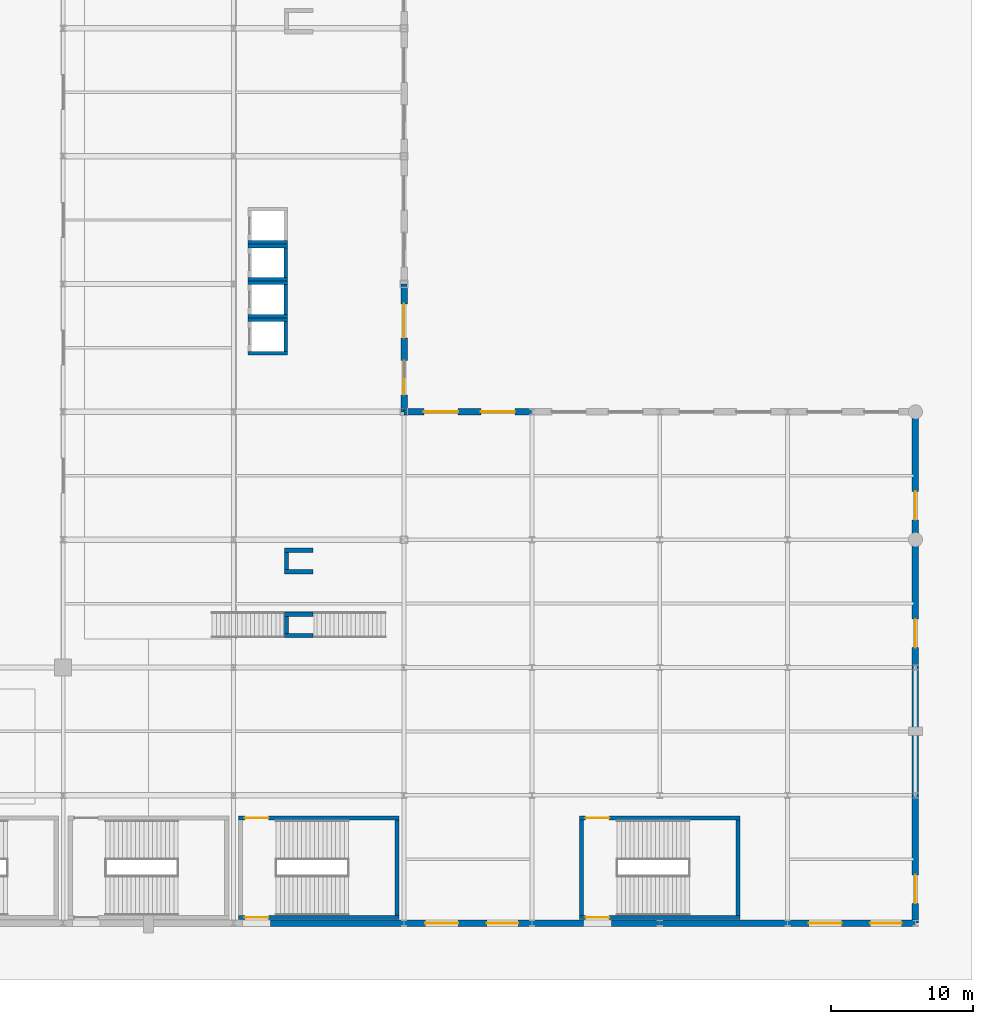
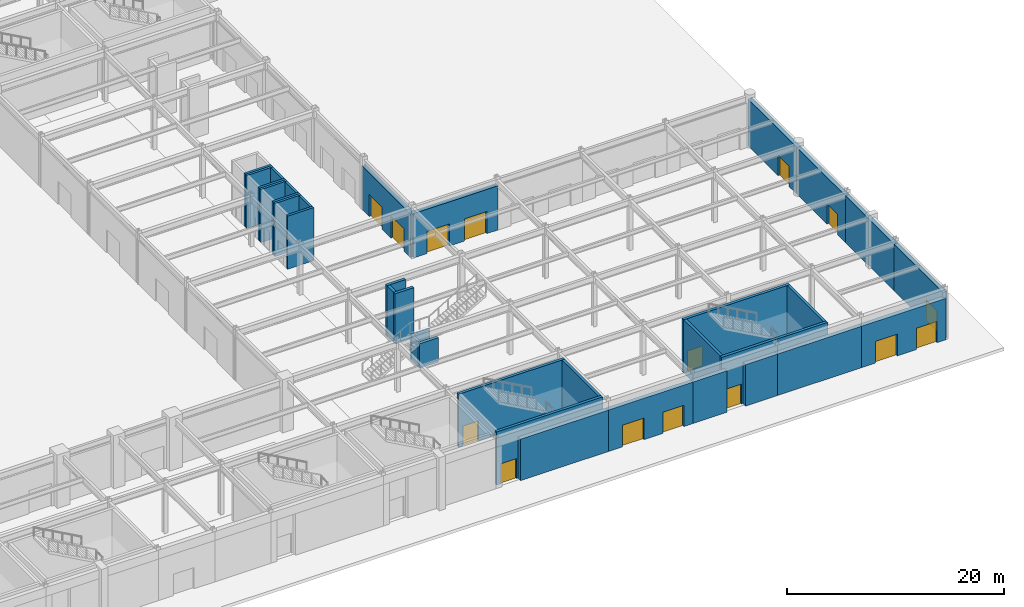
# One storey, part 28 of 44: 35 walls, 15 doors, 15 openings.
"""IFC4 building model written with IfcOpenShell, lengths in metres."""

from ifc_helpers import new_model, si_unit, direction, frame, frame_2d, origin, place, context, subcontext, project, spatial, rectangle, extrude, material, layer, layer_set, type_object, element, fill, save


model = new_model("IFC4")

# Units and contexts
model_context = context("Model", 3, precision=1e-05, world=origin(), true_north=direction((0.0, 1.0)))
body_context = subcontext(model_context, "Body", "Model", "MODEL_VIEW")
ifc_project = project(units=[si_unit("LENGTHUNIT", "METRE"), si_unit("AREAUNIT", "SQUARE_METRE"), si_unit("VOLUMEUNIT", "CUBIC_METRE"), si_unit("PLANEANGLEUNIT", "RADIAN"), si_unit("MASSUNIT", "GRAM", prefix="KILO")], contexts=[model_context])

# Site, building, storey
site_placement = place(None, origin())
site = spatial("IfcSite", under=ifc_project, at=site_placement, CompositionType="ELEMENT")
building_placement = place(site_placement, origin())
building = spatial("IfcBuilding", under=site, at=building_placement, Name="Kaldorvane Square Convention Centre", CompositionType="ELEMENT")
storey_placement = place(building_placement, origin())
storey = spatial("IfcBuildingStorey", under=building, at=storey_placement, Name="L00", CompositionType="ELEMENT", Elevation=0.0)

# Wall
ifc_material_1 = material(Name="Concrete f'c = 42 MPa (Normalweight)", Category="concrete")
ifc_layer_1 = layer(ifc_material_1, 0.4499969482421875)
ifc_layer_set_1 = layer_set([ifc_layer_1], Name="Concrete f'c = 42 MPa (Normalweight)")
wall_type_1 = type_object("IfcWallType", Name="WL-EXT-450", PredefinedType="STANDARD", material=ifc_layer_set_1)
wall_1_placement = place(storey_placement, frame((128.58999633789062, 0.0, 0.0), z_axis=(0.0, 0.0, 1.0), x_axis=(1.0, 0.0, 0.0)))
element("IfcWall", 1, at=wall_1_placement, inside=storey, type_object=wall_type_1, Name="South Square Brutalist Facade Wall (L00)", PredefinedType="STANDARD", context=body_context, shape_type="SweptSolid", body=[
    extrude(rectangle(XDim=9.410003662109375, YDim=0.4499969482421875, at=frame_2d((4.7050018310546875, 0.0))), origin(), (0.0, 0.0, 1.0), 4.675994873046875),
])

# Wall, openings, doors
wall_2_placement = place(storey_placement, frame((138.0, 0.0, 0.0), z_axis=(0.0, 0.0, 1.0), x_axis=(1.0, 0.0, 0.0)))
wall_2 = element("IfcWall", 2, at=wall_2_placement, inside=storey, type_object=wall_type_1, Name="South Square Brutalist Facade Wall (L00)", PredefinedType="STANDARD", context=body_context, shape_type="SweptSolid", body=[
    extrude(rectangle(XDim=9.0, YDim=0.4499969482421875, at=frame_2d((4.5, 0.0))), origin(), (0.0, 0.0, 1.0), 4.675994873046875),
])
opening_1_placement = place(wall_2_placement, frame((1.5, 0.0, 0.0)))
opening_1 = element("IfcOpeningElement", 3, at=opening_1_placement, cuts=wall_2, Name="Opening ED-03", PredefinedType="OPENING", context=body_context, shape_type="SweptSolid", body=[
    extrude(rectangle(XDim=2.3000030517578125, YDim=2.4499969482421875, at=frame_2d((1.149993896484375, 1.225006103515625))), frame((0.0, 0.239990234375, 0.0), z_axis=(0.0, -1.0, 0.0), x_axis=(1.0, 0.0, 0.0)), (0.0, 0.0, 1.0), 0.4799957275390625),
])
opening_2_placement = place(wall_2_placement, frame((5.8300018310546875, 0.0, 0.0)))
opening_2 = element("IfcOpeningElement", 4, at=opening_2_placement, cuts=wall_2, Name="Opening ED-04", PredefinedType="OPENING", context=body_context, shape_type="SweptSolid", body=[
    extrude(rectangle(XDim=2.1999969482421875, YDim=2.399993896484375, at=frame_2d((1.100006103515625, 1.1999969482421875))), frame((0.0, 0.239990234375, 0.0), z_axis=(0.0, -1.0, 0.0), x_axis=(1.0, 0.0, 0.0)), (0.0, 0.0, 1.0), 0.4799957275390625),
])
ifc_material_2 = material(Name="Thermally Broken Aluminum and Tempered Glass", Category="aluminium")
door_type_1 = type_object("IfcDoorType", Name="DR-EXT-2200X2400", OperationType="DOUBLE_DOOR_SINGLE_SWING", PredefinedType="DOOR", material=ifc_material_2)
door_1_placement = place(opening_2_placement, origin())
door_1 = element("IfcDoor", 5, at=door_1_placement, inside=storey, type_object=door_type_1, Name="South Kaldorvane Square Entrance Exit Door 03", OperationType="DOUBLE_DOOR_SINGLE_SWING", OverallHeight=2.399993896484375, OverallWidth=2.1999969482421875, PredefinedType="DOOR", context=body_context, shape_type="SweptSolid", body=[
    extrude(rectangle(XDim=2.1999969482421875, YDim=2.399993896484375, at=frame_2d((1.100006103515625, 1.1999969482421875))), frame((0.0, 0.024993896484375, 0.0), z_axis=(0.0, -1.0, 0.0), x_axis=(1.0, 0.0, 0.0)), (0.0, 0.0, 1.0), 0.0500030517578125),
])
fill(opening_2, door_1)
door_type_2 = type_object("IfcDoorType", Name="DR-EXT-2300X2450", OperationType="DOUBLE_DOOR_SINGLE_SWING", PredefinedType="DOOR", material=ifc_material_2)
door_2_placement = place(opening_1_placement, origin())
door_2 = element("IfcDoor", 6, at=door_2_placement, inside=storey, type_object=door_type_2, Name="South Kaldorvane Square Entrance Exit Door 02", OperationType="DOUBLE_DOOR_SINGLE_SWING", OverallHeight=2.4499969482421875, OverallWidth=2.3000030517578125, PredefinedType="DOOR", context=body_context, shape_type="SweptSolid", body=[
    extrude(rectangle(XDim=2.3000030517578125, YDim=2.4499969482421875, at=frame_2d((1.149993896484375, 1.225006103515625))), frame((0.0, 0.024993896484375, 0.0), z_axis=(0.0, -1.0, 0.0), x_axis=(1.0, 0.0, 0.0)), (0.0, 0.0, 1.0), 0.0500030517578125),
])
fill(opening_1, door_2)

# Walls
wall_3_placement = place(storey_placement, frame((147.0, 0.0, 0.0), z_axis=(0.0, 0.0, 1.0), x_axis=(1.0, 0.0, 0.0)))
element("IfcWall", 7, at=wall_3_placement, inside=storey, type_object=wall_type_1, Name="South Square Brutalist Facade Wall (L00)", PredefinedType="STANDARD", context=body_context, shape_type="SweptSolid", body=[
    extrude(rectangle(XDim=3.6399993896484375, YDim=0.4499969482421875, at=frame_2d((1.82000732421875, 0.0))), origin(), (0.0, 0.0, 1.0), 4.675994873046875),
])
wall_4_placement = place(storey_placement, frame((152.58999633789062, 0.0, 0.0), z_axis=(0.0, 0.0, 1.0), x_axis=(1.0, 0.0, 0.0)))
element("IfcWall", 8, at=wall_4_placement, inside=storey, type_object=wall_type_1, Name="South Square Brutalist Facade Wall (L00)", PredefinedType="STANDARD", context=body_context, shape_type="SweptSolid", body=[
    extrude(rectangle(XDim=3.410003662109375, YDim=0.4499969482421875, at=frame_2d((1.7050018310546875, 0.0))), origin(), (0.0, 0.0, 1.0), 4.675994873046875),
])
wall_5_placement = place(storey_placement, frame((156.0, 0.0, 0.0), z_axis=(0.0, 0.0, 1.0), x_axis=(1.0, 0.0, 0.0)))
element("IfcWall", 9, at=wall_5_placement, inside=storey, type_object=wall_type_1, Name="South Square Brutalist Facade Wall (L00)", PredefinedType="STANDARD", context=body_context, shape_type="SweptSolid", body=[
    extrude(rectangle(XDim=9.0, YDim=0.4499969482421875, at=frame_2d((4.5, 0.0))), origin(), (0.0, 0.0, 1.0), 4.675994873046875),
])

# Wall, openings, doors
wall_6_placement = place(storey_placement, frame((165.0, 0.0, 0.0), z_axis=(0.0, 0.0, 1.0), x_axis=(1.0, 0.0, 0.0)))
wall_6 = element("IfcWall", 10, at=wall_6_placement, inside=storey, type_object=wall_type_1, Name="South Square Brutalist Facade Wall (L00)", PredefinedType="STANDARD", context=body_context, shape_type="SweptSolid", body=[
    extrude(rectangle(XDim=9.0, YDim=0.4499969482421875, at=frame_2d((4.5, 0.0))), origin(), (0.0, 0.0, 1.0), 4.675994873046875),
])
opening_3_placement = place(wall_6_placement, frame((1.5, 0.0, 0.0)))
opening_3 = element("IfcOpeningElement", 11, at=opening_3_placement, cuts=wall_6, Name="Opening ED-03", PredefinedType="OPENING", context=body_context, shape_type="SweptSolid", body=[
    extrude(rectangle(XDim=2.3000030517578125, YDim=2.4499969482421875, at=frame_2d((1.149993896484375, 1.225006103515625))), frame((0.0, 0.239990234375, 0.0), z_axis=(0.0, -1.0, 0.0), x_axis=(1.0, 0.0, 0.0)), (0.0, 0.0, 1.0), 0.4799957275390625),
])
opening_4_placement = place(wall_6_placement, frame((5.8300018310546875, 0.0, 0.0)))
opening_4 = element("IfcOpeningElement", 12, at=opening_4_placement, cuts=wall_6, Name="Opening ED-04", PredefinedType="OPENING", context=body_context, shape_type="SweptSolid", body=[
    extrude(rectangle(XDim=2.1999969482421875, YDim=2.399993896484375, at=frame_2d((1.100006103515625, 1.1999969482421875))), frame((0.0, 0.239990234375, 0.0), z_axis=(0.0, -1.0, 0.0), x_axis=(1.0, 0.0, 0.0)), (0.0, 0.0, 1.0), 0.4799957275390625),
])
door_3_placement = place(opening_4_placement, origin())
door_3 = element("IfcDoor", 13, at=door_3_placement, inside=storey, type_object=door_type_1, Name="South Kaldorvane Square Entrance Exit Door 05", OperationType="DOUBLE_DOOR_SINGLE_SWING", OverallHeight=2.399993896484375, OverallWidth=2.1999969482421875, PredefinedType="DOOR", context=body_context, shape_type="SweptSolid", body=[
    extrude(rectangle(XDim=2.1999969482421875, YDim=2.399993896484375, at=frame_2d((1.100006103515625, 1.1999969482421875))), frame((0.0, 0.024993896484375, 0.0), z_axis=(0.0, -1.0, 0.0), x_axis=(1.0, 0.0, 0.0)), (0.0, 0.0, 1.0), 0.0500030517578125),
])
fill(opening_4, door_3)
door_4_placement = place(opening_3_placement, origin())
door_4 = element("IfcDoor", 14, at=door_4_placement, inside=storey, type_object=door_type_2, Name="South Kaldorvane Square Entrance Exit Door 04", OperationType="DOUBLE_DOOR_SINGLE_SWING", OverallHeight=2.4499969482421875, OverallWidth=2.3000030517578125, PredefinedType="DOOR", context=body_context, shape_type="SweptSolid", body=[
    extrude(rectangle(XDim=2.3000030517578125, YDim=2.4499969482421875, at=frame_2d((1.149993896484375, 1.225006103515625))), frame((0.0, 0.024993896484375, 0.0), z_axis=(0.0, -1.0, 0.0), x_axis=(1.0, 0.0, 0.0)), (0.0, 0.0, 1.0), 0.0500030517578125),
])
fill(opening_3, door_4)

# Wall, opening, door
wall_7_placement = place(storey_placement, frame((174.0, 0.0, 0.0), z_axis=(0.0, 0.0, 1.0), x_axis=(0.0, 1.0, 0.0)))
wall_7 = element("IfcWall", 15, at=wall_7_placement, inside=storey, type_object=wall_type_1, Name="East Square Brutalist Wing Wall (L00)", PredefinedType="STANDARD", context=body_context, shape_type="SweptSolid", body=[
    extrude(rectangle(XDim=9.0, YDim=0.4499969482421875, at=frame_2d((4.5, 0.0))), origin(), (0.0, 0.0, 1.0), 5.2689971923828125),
])
opening_5_placement = place(wall_7_placement, frame((1.399993896484375, 0.0, 0.0)))
opening_5 = element("IfcOpeningElement", 16, at=opening_5_placement, cuts=wall_7, Name="Opening ED-05", PredefinedType="OPENING", context=body_context, shape_type="SweptSolid", body=[
    extrude(rectangle(XDim=2.0, YDim=2.3000030517578125, at=frame_2d((1.0, 1.149993896484375))), frame((0.0, 0.239990234375, 0.0), z_axis=(0.0, -1.0, 0.0), x_axis=(1.0, 0.0, 0.0)), (0.0, 0.0, 1.0), 0.4799957275390625),
])
door_type_3 = type_object("IfcDoorType", Name="DR-EXT-2000X2300", OperationType="DOUBLE_DOOR_SINGLE_SWING", PredefinedType="DOOR", material=ifc_material_2)
door_5_placement = place(opening_5_placement, origin())
door_5 = element("IfcDoor", 17, at=door_5_placement, inside=storey, type_object=door_type_3, Name="East Wing Square Exit Door 22", OperationType="DOUBLE_DOOR_SINGLE_SWING", OverallHeight=2.3000030517578125, OverallWidth=2.0, PredefinedType="DOOR", context=body_context, shape_type="SweptSolid", body=[
    extrude(rectangle(XDim=2.0, YDim=2.3000030517578125, at=frame_2d((1.0, 1.149993896484375))), frame((0.0, 0.024993896484375, 0.0), z_axis=(0.0, -1.0, 0.0), x_axis=(1.0, 0.0, 0.0)), (0.0, 0.0, 1.0), 0.0500030517578125),
])
fill(opening_5, door_5)

# Wall
wall_8_placement = place(storey_placement, frame((174.0, 9.0, 0.0), z_axis=(0.0, 0.0, 1.0), x_axis=(0.0, 1.0, 0.0)))
element("IfcWall", 18, at=wall_8_placement, inside=storey, type_object=wall_type_1, Name="East Square Brutalist Wing Wall (L00)", PredefinedType="STANDARD", context=body_context, shape_type="SweptSolid", body=[
    extrude(rectangle(XDim=9.0, YDim=0.4499969482421875, at=frame_2d((4.5, 0.0))), origin(), (0.0, 0.0, 1.0), 5.2689971923828125),
])

# Wall, opening, door
wall_9_placement = place(storey_placement, frame((174.0, 18.0, 0.0), z_axis=(0.0, 0.0, 1.0), x_axis=(0.0, 1.0, 0.0)))
wall_9 = element("IfcWall", 19, at=wall_9_placement, inside=storey, type_object=wall_type_1, Name="East Square Brutalist Wing Wall (L00)", PredefinedType="STANDARD", context=body_context, shape_type="SweptSolid", body=[
    extrude(rectangle(XDim=9.0, YDim=0.4499969482421875, at=frame_2d((4.5, 0.0))), origin(), (0.0, 0.0, 1.0), 5.2689971923828125),
])
opening_6_placement = place(wall_9_placement, frame((1.399993896484375, 0.0, 0.0)))
opening_6 = element("IfcOpeningElement", 20, at=opening_6_placement, cuts=wall_9, Name="Opening ED-05", PredefinedType="OPENING", context=body_context, shape_type="SweptSolid", body=[
    extrude(rectangle(XDim=2.0, YDim=2.3000030517578125, at=frame_2d((1.0, 1.149993896484375))), frame((0.0, 0.239990234375, 0.0), z_axis=(0.0, -1.0, 0.0), x_axis=(1.0, 0.0, 0.0)), (0.0, 0.0, 1.0), 0.4799957275390625),
])
door_6_placement = place(opening_6_placement, origin())
door_6 = element("IfcDoor", 21, at=door_6_placement, inside=storey, type_object=door_type_3, Name="East Wing Square Exit Door 23", OperationType="DOUBLE_DOOR_SINGLE_SWING", OverallHeight=2.3000030517578125, OverallWidth=2.0, PredefinedType="DOOR", context=body_context, shape_type="SweptSolid", body=[
    extrude(rectangle(XDim=2.0, YDim=2.3000030517578125, at=frame_2d((1.0, 1.149993896484375))), frame((0.0, 0.024993896484375, 0.0), z_axis=(0.0, -1.0, 0.0), x_axis=(1.0, 0.0, 0.0)), (0.0, 0.0, 1.0), 0.0500030517578125),
])
fill(opening_6, door_6)

wall_10_placement = place(storey_placement, frame((174.0, 27.0, 0.0), z_axis=(0.0, 0.0, 1.0), x_axis=(0.0, 1.0, 0.0)))
wall_10 = element("IfcWall", 22, at=wall_10_placement, inside=storey, type_object=wall_type_1, Name="East Square Brutalist Wing Wall (L00)", PredefinedType="STANDARD", context=body_context, shape_type="SweptSolid", body=[
    extrude(rectangle(XDim=9.0, YDim=0.4499969482421875, at=frame_2d((4.5, 0.0))), origin(), (0.0, 0.0, 1.0), 5.2689971923828125),
])
opening_7_placement = place(wall_10_placement, frame((1.399993896484375, 0.0, 0.0)))
opening_7 = element("IfcOpeningElement", 23, at=opening_7_placement, cuts=wall_10, Name="Opening ED-05", PredefinedType="OPENING", context=body_context, shape_type="SweptSolid", body=[
    extrude(rectangle(XDim=2.0, YDim=2.3000030517578125, at=frame_2d((1.0, 1.149993896484375))), frame((0.0, 0.239990234375, 0.0), z_axis=(0.0, -1.0, 0.0), x_axis=(1.0, 0.0, 0.0)), (0.0, 0.0, 1.0), 0.4799957275390625),
])
door_7_placement = place(opening_7_placement, origin())
door_7 = element("IfcDoor", 24, at=door_7_placement, inside=storey, type_object=door_type_3, Name="East Wing Square Exit Door 24", OperationType="DOUBLE_DOOR_SINGLE_SWING", OverallHeight=2.3000030517578125, OverallWidth=2.0, PredefinedType="DOOR", context=body_context, shape_type="SweptSolid", body=[
    extrude(rectangle(XDim=2.0, YDim=2.3000030517578125, at=frame_2d((1.0, 1.149993896484375))), frame((0.0, 0.024993896484375, 0.0), z_axis=(0.0, -1.0, 0.0), x_axis=(1.0, 0.0, 0.0)), (0.0, 0.0, 1.0), 0.0500030517578125),
])
fill(opening_7, door_7)

# Wall, openings, doors
wall_11_placement = place(storey_placement, frame((147.0, 36.0, 0.0), z_axis=(0.0, 0.0, 1.0), x_axis=(-1.0, 0.0, 0.0)))
wall_11 = element("IfcWall", 25, at=wall_11_placement, inside=storey, type_object=wall_type_1, Name="Civic Forecourt Entrance Portal FCS-1", PredefinedType="STANDARD", context=body_context, shape_type="SweptSolid", body=[
    extrude(rectangle(XDim=9.0, YDim=0.4499969482421875, at=frame_2d((4.5, 0.0))), origin(), (0.0, 0.0, 1.0), 4.98699951171875),
])
opening_8_placement = place(wall_11_placement, frame((1.1999969482421875, 0.0, 0.0)))
opening_8 = element("IfcOpeningElement", 26, at=opening_8_placement, cuts=wall_11, Name="Opening ED-02", PredefinedType="OPENING", context=body_context, shape_type="SweptSolid", body=[
    extrude(rectangle(XDim=2.399993896484375, YDim=2.5, at=frame_2d((1.1999969482421875, 1.25))), frame((0.0, 0.239990234375, 0.0), z_axis=(0.0, -1.0, 0.0), x_axis=(1.0, 0.0, 0.0)), (0.0, 0.0, 1.0), 0.4799957275390625),
])
opening_9_placement = place(wall_11_placement, frame((5.1999969482421875, 0.0, 0.0)))
opening_9 = element("IfcOpeningElement", 27, at=opening_9_placement, cuts=wall_11, Name="Opening ED-02", PredefinedType="OPENING", context=body_context, shape_type="SweptSolid", body=[
    extrude(rectangle(XDim=2.399993896484375, YDim=2.5, at=frame_2d((1.1999969482421875, 1.25))), frame((0.0, 0.239990234375, 0.0), z_axis=(0.0, -1.0, 0.0), x_axis=(1.0, 0.0, 0.0)), (0.0, 0.0, 1.0), 0.4799957275390625),
])
door_type_4 = type_object("IfcDoorType", Name="DR-EXT-2400X2500", OperationType="DOUBLE_DOOR_SINGLE_SWING", PredefinedType="DOOR", material=ifc_material_2)
door_8_placement = place(opening_8_placement, origin())
door_8 = element("IfcDoor", 28, at=door_8_placement, inside=storey, type_object=door_type_4, Name="Civic Forecourt Main Entrance Door 27", OperationType="DOUBLE_DOOR_SINGLE_SWING", OverallHeight=2.5, OverallWidth=2.399993896484375, PredefinedType="DOOR", context=body_context, shape_type="SweptSolid", body=[
    extrude(rectangle(XDim=2.399993896484375, YDim=2.5, at=frame_2d((1.1999969482421875, 1.25))), frame((0.0, 0.024993896484375, 0.0), z_axis=(0.0, -1.0, 0.0), x_axis=(1.0, 0.0, 0.0)), (0.0, 0.0, 1.0), 0.0500030517578125),
])
fill(opening_8, door_8)
door_9_placement = place(opening_9_placement, origin())
door_9 = element("IfcDoor", 29, at=door_9_placement, inside=storey, type_object=door_type_4, Name="Civic Forecourt Main Entrance Door 28", OperationType="DOUBLE_DOOR_SINGLE_SWING", OverallHeight=2.5, OverallWidth=2.399993896484375, PredefinedType="DOOR", context=body_context, shape_type="SweptSolid", body=[
    extrude(rectangle(XDim=2.399993896484375, YDim=2.5, at=frame_2d((1.1999969482421875, 1.25))), frame((0.0, 0.024993896484375, 0.0), z_axis=(0.0, -1.0, 0.0), x_axis=(1.0, 0.0, 0.0)), (0.0, 0.0, 1.0), 0.0500030517578125),
])
fill(opening_9, door_9)

wall_12_placement = place(storey_placement, frame((138.0, 36.0, 0.0), z_axis=(0.0, 0.0, 1.0), x_axis=(0.0, 1.0, 0.0)))
wall_12 = element("IfcWall", 30, at=wall_12_placement, inside=storey, type_object=wall_type_1, Name="Civic Forecourt Entrance Portal FCW-1", PredefinedType="STANDARD", context=body_context, shape_type="SweptSolid", body=[
    extrude(rectangle(XDim=9.0, YDim=0.4499969482421875, at=frame_2d((4.5, 0.0))), origin(), (0.0, 0.0, 1.0), 4.912994384765625),
])
opening_10_placement = place(wall_12_placement, frame((1.1999969482421875, 0.0, 0.0)))
opening_10 = element("IfcOpeningElement", 31, at=opening_10_placement, cuts=wall_12, Name="Opening ED-02", PredefinedType="OPENING", context=body_context, shape_type="SweptSolid", body=[
    extrude(rectangle(XDim=2.399993896484375, YDim=2.5, at=frame_2d((1.1999969482421875, 1.25))), frame((0.0, 0.239990234375, 0.0), z_axis=(0.0, -1.0, 0.0), x_axis=(1.0, 0.0, 0.0)), (0.0, 0.0, 1.0), 0.4799957275390625),
])
opening_11_placement = place(wall_12_placement, frame((5.1999969482421875, 0.0, 0.0)))
opening_11 = element("IfcOpeningElement", 32, at=opening_11_placement, cuts=wall_12, Name="Opening ED-02", PredefinedType="OPENING", context=body_context, shape_type="SweptSolid", body=[
    extrude(rectangle(XDim=2.399993896484375, YDim=2.5, at=frame_2d((1.1999969482421875, 1.25))), frame((0.0, 0.239990234375, 0.0), z_axis=(0.0, -1.0, 0.0), x_axis=(1.0, 0.0, 0.0)), (0.0, 0.0, 1.0), 0.4799957275390625),
])
door_10_placement = place(opening_10_placement, origin())
door_10 = element("IfcDoor", 33, at=door_10_placement, inside=storey, type_object=door_type_4, Name="Civic Forecourt Main Entrance Door 35", OperationType="DOUBLE_DOOR_SINGLE_SWING", OverallHeight=2.5, OverallWidth=2.399993896484375, PredefinedType="DOOR", context=body_context, shape_type="SweptSolid", body=[
    extrude(rectangle(XDim=2.399993896484375, YDim=2.5, at=frame_2d((1.1999969482421875, 1.25))), frame((0.0, 0.024993896484375, 0.0), z_axis=(0.0, -1.0, 0.0), x_axis=(1.0, 0.0, 0.0)), (0.0, 0.0, 1.0), 0.0500030517578125),
])
fill(opening_10, door_10)
door_11_placement = place(opening_11_placement, origin())
door_11 = element("IfcDoor", 34, at=door_11_placement, inside=storey, type_object=door_type_4, Name="Civic Forecourt Main Entrance Door 36", OperationType="DOUBLE_DOOR_SINGLE_SWING", OverallHeight=2.5, OverallWidth=2.399993896484375, PredefinedType="DOOR", context=body_context, shape_type="SweptSolid", body=[
    extrude(rectangle(XDim=2.399993896484375, YDim=2.5, at=frame_2d((1.1999969482421875, 1.25))), frame((0.0, 0.024993896484375, 0.0), z_axis=(0.0, -1.0, 0.0), x_axis=(1.0, 0.0, 0.0)), (0.0, 0.0, 1.0), 0.0500030517578125),
])
fill(opening_11, door_11)

# Wall, opening, door
ifc_material_3 = material(Name="Concrete f'c = 55 MPa (Normalweight)", Category="concrete")
ifc_layer_2 = layer(ifc_material_3, 0.3000030517578125)
ifc_layer_set_2 = layer_set([ifc_layer_2], Name="Concrete f'c = 55 MPa (Normalweight)")
wall_type_2 = type_object("IfcWallType", Name="WL-SHAFT-300", PredefinedType="SHEAR", material=ifc_layer_set_2)
wall_13_placement = place(storey_placement, frame((137.66000366210938, 0.399993896484375, 0.0), z_axis=(0.0, 0.0, 1.0), x_axis=(-1.0, 0.0, 0.0)))
wall_13 = element("IfcWall", 35, at=wall_13_placement, inside=storey, type_object=wall_type_2, Name="Core Enclosure Wall stair:ST-C10-S (L00)", PredefinedType="SHEAR", context=body_context, shape_type="SweptSolid", body=[
    extrude(rectangle(XDim=11.32000732421875, YDim=0.3000030517578125, at=frame_2d((5.660003662109375, 0.0))), origin(), (0.0, 0.0, 1.0), 6.0),
])
opening_12_placement = place(wall_13_placement, frame((9.220001220703125, 0.0, 0.0)))
opening_12 = element("IfcOpeningElement", 36, at=opening_12_placement, cuts=wall_13, Name="Opening FD90-S2", PredefinedType="OPENING", context=body_context, shape_type="SweptSolid", body=[
    extrude(rectangle(XDim=1.649993896484375, YDim=2.25, at=frame_2d((0.8249969482421875, 1.125))), frame((0.0, 0.165008544921875, 0.0), z_axis=(0.0, -1.0, 0.0), x_axis=(1.0, 0.0, 0.0)), (0.0, 0.0, 1.0), 0.3300018310546875),
])
ifc_material_4 = material(Name="Fire-Rated Hollow Metal Steel", Category="steel")
door_type_5 = type_object("IfcDoorType", Name="DR-STAIR-1650", OperationType="DOUBLE_DOOR_SINGLE_SWING", PredefinedType="DOOR", material=ifc_material_4)
door_12_placement = place(opening_12_placement, origin())
door_12 = element("IfcDoor", 37, at=door_12_placement, inside=storey, type_object=door_type_5, Name="Convention Exit Stair C10 Final Exit Door (L00)", OperationType="DOUBLE_DOOR_SINGLE_SWING", OverallHeight=2.25, OverallWidth=1.649993896484375, PredefinedType="DOOR", context=body_context, shape_type="SweptSolid", body=[
    extrude(rectangle(XDim=1.649993896484375, YDim=2.25, at=frame_2d((0.8249969482421875, 1.125))), frame((0.0, 0.024993896484375, 0.0), z_axis=(0.0, -1.0, 0.0), x_axis=(1.0, 0.0, 0.0)), (0.0, 0.0, 1.0), 0.0500030517578125),
])
fill(opening_12, door_12)

wall_14_placement = place(storey_placement, frame((137.66000366210938, 7.410003662109375, 0.0), z_axis=(0.0, 0.0, 1.0), x_axis=(-1.0, 0.0, 0.0)))
wall_14 = element("IfcWall", 38, at=wall_14_placement, inside=storey, type_object=wall_type_2, Name="Core Enclosure Wall stair:ST-C10-N (L00)", PredefinedType="SHEAR", context=body_context, shape_type="SweptSolid", body=[
    extrude(rectangle(XDim=11.32000732421875, YDim=0.3000030517578125, at=frame_2d((5.660003662109375, 0.0))), origin(), (0.0, 0.0, 1.0), 6.0),
])
opening_13_placement = place(wall_14_placement, frame((9.220001220703125, 0.0, 0.0)))
opening_13 = element("IfcOpeningElement", 39, at=opening_13_placement, cuts=wall_14, Name="Opening FD90-S2", PredefinedType="OPENING", context=body_context, shape_type="SweptSolid", body=[
    extrude(rectangle(XDim=1.649993896484375, YDim=2.25, at=frame_2d((0.8249969482421875, 1.125))), frame((0.0, 0.165008544921875, 0.0), z_axis=(0.0, -1.0, 0.0), x_axis=(1.0, 0.0, 0.0)), (0.0, 0.0, 1.0), 0.3300018310546875),
])
door_13_placement = place(opening_13_placement, origin())
door_13 = element("IfcDoor", 40, at=door_13_placement, inside=storey, type_object=door_type_5, Name="Convention Exit Stair C10 Fire Door (L00)", OperationType="DOUBLE_DOOR_SINGLE_SWING", OverallHeight=2.25, OverallWidth=1.649993896484375, PredefinedType="DOOR", context=body_context, shape_type="SweptSolid", body=[
    extrude(rectangle(XDim=1.649993896484375, YDim=2.25, at=frame_2d((0.8249969482421875, 1.125))), frame((0.0, 0.024993896484375, 0.0), z_axis=(0.0, -1.0, 0.0), x_axis=(1.0, 0.0, 0.0)), (0.0, 0.0, 1.0), 0.0500030517578125),
])
fill(opening_13, door_13)

# Wall
wall_15_placement = place(storey_placement, frame((137.50999450683594, 0.5500030517578125, 0.0), z_axis=(0.0, 0.0, 1.0), x_axis=(0.0, 1.0, 0.0)))
element("IfcWall", 41, at=wall_15_placement, inside=storey, type_object=wall_type_2, Name="Core Enclosure Wall stair:ST-C10-E (L00)", PredefinedType="SHEAR", context=body_context, shape_type="SweptSolid", body=[
    extrude(rectangle(XDim=6.709991455078125, YDim=0.3000030517578125, at=frame_2d((3.3549957275390625, 0.0))), origin(), (0.0, 0.0, 1.0), 6.0),
])

# Wall, opening, door
wall_16_placement = place(storey_placement, frame((161.66000366210938, 0.399993896484375, 0.0), z_axis=(0.0, 0.0, 1.0), x_axis=(-1.0, 0.0, 0.0)))
wall_16 = element("IfcWall", 42, at=wall_16_placement, inside=storey, type_object=wall_type_2, Name="Core Enclosure Wall stair:ST-C11-S (L00)", PredefinedType="SHEAR", context=body_context, shape_type="SweptSolid", body=[
    extrude(rectangle(XDim=11.32000732421875, YDim=0.3000030517578125, at=frame_2d((5.660003662109375, 0.0))), origin(), (0.0, 0.0, 1.0), 6.0),
])
opening_14_placement = place(wall_16_placement, frame((9.220001220703125, 0.0, 0.0)))
opening_14 = element("IfcOpeningElement", 43, at=opening_14_placement, cuts=wall_16, Name="Opening FD90-S2", PredefinedType="OPENING", context=body_context, shape_type="SweptSolid", body=[
    extrude(rectangle(XDim=1.649993896484375, YDim=2.25, at=frame_2d((0.8249969482421875, 1.125))), frame((0.0, 0.165008544921875, 0.0), z_axis=(0.0, -1.0, 0.0), x_axis=(1.0, 0.0, 0.0)), (0.0, 0.0, 1.0), 0.3300018310546875),
])
door_14_placement = place(opening_14_placement, origin())
door_14 = element("IfcDoor", 44, at=door_14_placement, inside=storey, type_object=door_type_5, Name="Convention Exit Stair C11 Final Exit Door (L00)", OperationType="DOUBLE_DOOR_SINGLE_SWING", OverallHeight=2.25, OverallWidth=1.649993896484375, PredefinedType="DOOR", context=body_context, shape_type="SweptSolid", body=[
    extrude(rectangle(XDim=1.649993896484375, YDim=2.25, at=frame_2d((0.8249969482421875, 1.125))), frame((0.0, 0.024993896484375, 0.0), z_axis=(0.0, -1.0, 0.0), x_axis=(1.0, 0.0, 0.0)), (0.0, 0.0, 1.0), 0.0500030517578125),
])
fill(opening_14, door_14)

wall_17_placement = place(storey_placement, frame((161.66000366210938, 7.410003662109375, 0.0), z_axis=(0.0, 0.0, 1.0), x_axis=(-1.0, 0.0, 0.0)))
wall_17 = element("IfcWall", 45, at=wall_17_placement, inside=storey, type_object=wall_type_2, Name="Core Enclosure Wall stair:ST-C11-N (L00)", PredefinedType="SHEAR", context=body_context, shape_type="SweptSolid", body=[
    extrude(rectangle(XDim=11.32000732421875, YDim=0.3000030517578125, at=frame_2d((5.660003662109375, 0.0))), origin(), (0.0, 0.0, 1.0), 6.0),
])
opening_15_placement = place(wall_17_placement, frame((9.220001220703125, 0.0, 0.0)))
opening_15 = element("IfcOpeningElement", 46, at=opening_15_placement, cuts=wall_17, Name="Opening FD90-S2", PredefinedType="OPENING", context=body_context, shape_type="SweptSolid", body=[
    extrude(rectangle(XDim=1.649993896484375, YDim=2.25, at=frame_2d((0.8249969482421875, 1.125))), frame((0.0, 0.165008544921875, 0.0), z_axis=(0.0, -1.0, 0.0), x_axis=(1.0, 0.0, 0.0)), (0.0, 0.0, 1.0), 0.3300018310546875),
])
door_15_placement = place(opening_15_placement, origin())
door_15 = element("IfcDoor", 47, at=door_15_placement, inside=storey, type_object=door_type_5, Name="Convention Exit Stair C11 Fire Door (L00)", OperationType="DOUBLE_DOOR_SINGLE_SWING", OverallHeight=2.25, OverallWidth=1.649993896484375, PredefinedType="DOOR", context=body_context, shape_type="SweptSolid", body=[
    extrude(rectangle(XDim=1.649993896484375, YDim=2.25, at=frame_2d((0.8249969482421875, 1.125))), frame((0.0, 0.024993896484375, 0.0), z_axis=(0.0, -1.0, 0.0), x_axis=(1.0, 0.0, 0.0)), (0.0, 0.0, 1.0), 0.0500030517578125),
])
fill(opening_15, door_15)

# Walls
for number, where, z_axis, x_axis, name in (
    (48, (150.49000549316406, 7.2599945068359375, 0.0), (0.0, 0.0, 1.0), (0.0, -1.0, 0.0), "Core Enclosure Wall stair:ST-C11-W (L00)"),
    (49, (161.50999450683594, 0.5500030517578125, 0.0), (0.0, 0.0, 1.0), (0.0, 1.0, 0.0), "Core Enclosure Wall stair:ST-C11-E (L00)"),
):
    element("IfcWall", number, at=place(storey_placement, frame(where, z_axis=z_axis, x_axis=x_axis)), inside=storey, type_object=wall_type_2, Name=name, PredefinedType="SHEAR", context=body_context, shape_type="SweptSolid", body=[
        extrude(rectangle(XDim=6.709991455078125, YDim=0.3000030517578125, at=frame_2d((3.3549957275390625, 0.0))), origin(), (0.0, 0.0, 1.0), 6.0),
    ])
for number, where, z_axis, x_axis, name in (
    (50, (129.5800018310547, 20.25, 0.0), (0.0, 0.0, 1.0), (1.0, 0.0, 0.0), "East Foyer Grand Stair F1 Support Pier S (L00)"),
    (51, (129.5800018310547, 21.75, 0.0), (0.0, 0.0, 1.0), (1.0, 0.0, 0.0), "East Foyer Grand Stair F1 Support Pier N (L00)"),
):
    element("IfcWall", number, at=place(storey_placement, frame(where, z_axis=z_axis, x_axis=x_axis)), inside=storey, type_object=wall_type_2, Name=name, PredefinedType="SHEAR", context=body_context, shape_type="SweptSolid", body=[
        extrude(rectangle(XDim=2.0, YDim=0.3000030517578125, at=frame_2d((1.0, 0.0))), origin(), (0.0, 0.0, 1.0), 2.7599945068359375),
    ])
wall_18_placement = place(storey_placement, frame((129.72999572753906, 20.399993896484375, 0.0), z_axis=(0.0, 0.0, 1.0), x_axis=(0.0, 1.0, 0.0)))
element("IfcWall", 52, at=wall_18_placement, inside=storey, type_object=wall_type_2, Name="East Foyer Grand Stair F1 Support Pier W (L00)", PredefinedType="SHEAR", context=body_context, shape_type="SweptSolid", body=[
    extrude(rectangle(XDim=1.20001220703125, YDim=0.3000030517578125, at=frame_2d((0.600006103515625, 0.0))), origin(), (0.0, 0.0, 1.0), 2.7599945068359375),
])
for number, where, z_axis, x_axis, name in (
    (53, (129.5800018310547, 24.75, 0.0), (0.0, 0.0, 1.0), (1.0, 0.0, 0.0), "East Foyer Grand Stair F2 Support Pier S (L00)"),
    (54, (129.5800018310547, 26.25, 0.0), (0.0, 0.0, 1.0), (1.0, 0.0, 0.0), "East Foyer Grand Stair F2 Support Pier N (L00)"),
):
    element("IfcWall", number, at=place(storey_placement, frame(where, z_axis=z_axis, x_axis=x_axis)), inside=storey, type_object=wall_type_2, Name=name, PredefinedType="SHEAR", context=body_context, shape_type="SweptSolid", body=[
        extrude(rectangle(XDim=2.0, YDim=0.3000030517578125, at=frame_2d((1.0, 0.0))), origin(), (0.0, 0.0, 1.0), 5.67999267578125),
    ])
wall_19_placement = place(storey_placement, frame((129.72999572753906, 24.899993896484375, 0.0), z_axis=(0.0, 0.0, 1.0), x_axis=(0.0, 1.0, 0.0)))
element("IfcWall", 55, at=wall_19_placement, inside=storey, type_object=wall_type_2, Name="East Foyer Grand Stair F2 Support Pier W (L00)", PredefinedType="SHEAR", context=body_context, shape_type="SweptSolid", body=[
    extrude(rectangle(XDim=1.20001220703125, YDim=0.3000030517578125, at=frame_2d((0.600006103515625, 0.0))), origin(), (0.0, 0.0, 1.0), 5.67999267578125),
])
for number, where, z_axis, x_axis, name in (
    (56, (127.0, 40.125, 0.0), (0.0, 0.0, 1.0), (1.0, 0.0, 0.0), "Core Enclosure Wall lift:EL-C1-S (L00)"),
    (57, (129.8000030517578, 42.475006103515625, 0.0), (0.0, 0.0, 1.0), (-1.0, 0.0, 0.0), "Core Enclosure Wall lift:EL-C1-N (L00)"),
):
    element("IfcWall", number, at=place(storey_placement, frame(where, z_axis=z_axis, x_axis=x_axis)), inside=storey, type_object=wall_type_2, Name=name, PredefinedType="SHEAR", context=body_context, shape_type="SweptSolid", body=[
        extrude(rectangle(XDim=2.8000030517578125, YDim=0.25, at=frame_2d((1.399993896484375, 0.0))), origin(), (0.0, 0.0, 1.0), 6.0),
    ])
wall_20_placement = place(storey_placement, frame((129.6750030517578, 40.25, 0.0), z_axis=(0.0, 0.0, 1.0), x_axis=(0.0, 1.0, 0.0)))
element("IfcWall", 58, at=wall_20_placement, inside=storey, type_object=wall_type_2, Name="Core Enclosure Wall lift:EL-C1-E (L00)", PredefinedType="SHEAR", context=body_context, shape_type="SweptSolid", body=[
    extrude(rectangle(XDim=2.100006103515625, YDim=0.25, at=frame_2d((1.0500030517578125, 0.0))), origin(), (0.0, 0.0, 1.0), 6.0),
])
for number, where, z_axis, x_axis, name in (
    (59, (127.0, 42.725006103515625, 0.0), (0.0, 0.0, 1.0), (1.0, 0.0, 0.0), "Core Enclosure Wall lift:EL-C2-S (L00)"),
    (60, (129.8000030517578, 45.07499694824219, 0.0), (0.0, 0.0, 1.0), (-1.0, 0.0, 0.0), "Core Enclosure Wall lift:EL-C2-N (L00)"),
):
    element("IfcWall", number, at=place(storey_placement, frame(where, z_axis=z_axis, x_axis=x_axis)), inside=storey, type_object=wall_type_2, Name=name, PredefinedType="SHEAR", context=body_context, shape_type="SweptSolid", body=[
        extrude(rectangle(XDim=2.8000030517578125, YDim=0.25, at=frame_2d((1.399993896484375, 0.0))), origin(), (0.0, 0.0, 1.0), 6.0),
    ])
wall_21_placement = place(storey_placement, frame((129.6750030517578, 42.850006103515625, 0.0), z_axis=(0.0, 0.0, 1.0), x_axis=(0.0, 1.0, 0.0)))
element("IfcWall", 61, at=wall_21_placement, inside=storey, type_object=wall_type_2, Name="Core Enclosure Wall lift:EL-C2-E (L00)", PredefinedType="SHEAR", context=body_context, shape_type="SweptSolid", body=[
    extrude(rectangle(XDim=2.0999908447265625, YDim=0.25, at=frame_2d((1.04998779296875, 0.0))), origin(), (0.0, 0.0, 1.0), 6.0),
])
for number, where, z_axis, x_axis, name in (
    (62, (127.0, 45.32499694824219, 0.0), (0.0, 0.0, 1.0), (1.0, 0.0, 0.0), "Core Enclosure Wall lift:EL-C3-S (L00)"),
    (63, (129.8000030517578, 47.67500305175781, 0.0), (0.0, 0.0, 1.0), (-1.0, 0.0, 0.0), "Core Enclosure Wall lift:EL-C3-N (L00)"),
):
    element("IfcWall", number, at=place(storey_placement, frame(where, z_axis=z_axis, x_axis=x_axis)), inside=storey, type_object=wall_type_2, Name=name, PredefinedType="SHEAR", context=body_context, shape_type="SweptSolid", body=[
        extrude(rectangle(XDim=2.8000030517578125, YDim=0.25, at=frame_2d((1.399993896484375, 0.0))), origin(), (0.0, 0.0, 1.0), 6.0),
    ])
wall_22_placement = place(storey_placement, frame((129.6750030517578, 45.44999694824219, 0.0), z_axis=(0.0, 0.0, 1.0), x_axis=(0.0, 1.0, 0.0)))
element("IfcWall", 64, at=wall_22_placement, inside=storey, type_object=wall_type_2, Name="Core Enclosure Wall lift:EL-C3-E (L00)", PredefinedType="SHEAR", context=body_context, shape_type="SweptSolid", body=[
    extrude(rectangle(XDim=2.100006103515625, YDim=0.25, at=frame_2d((1.0500030517578125, 0.0))), origin(), (0.0, 0.0, 1.0), 6.0),
])
wall_23_placement = place(storey_placement, frame((127.0, 47.92500305175781, 0.0), z_axis=(0.0, 0.0, 1.0), x_axis=(1.0, 0.0, 0.0)))
element("IfcWall", 65, at=wall_23_placement, inside=storey, type_object=wall_type_2, Name="Core Enclosure Wall lift:EL-C4-S (L00)", PredefinedType="SHEAR", context=body_context, shape_type="SweptSolid", body=[
    extrude(rectangle(XDim=2.8000030517578125, YDim=0.25, at=frame_2d((1.399993896484375, 0.0))), origin(), (0.0, 0.0, 1.0), 6.0),
])

save(model, "model.ifc")
